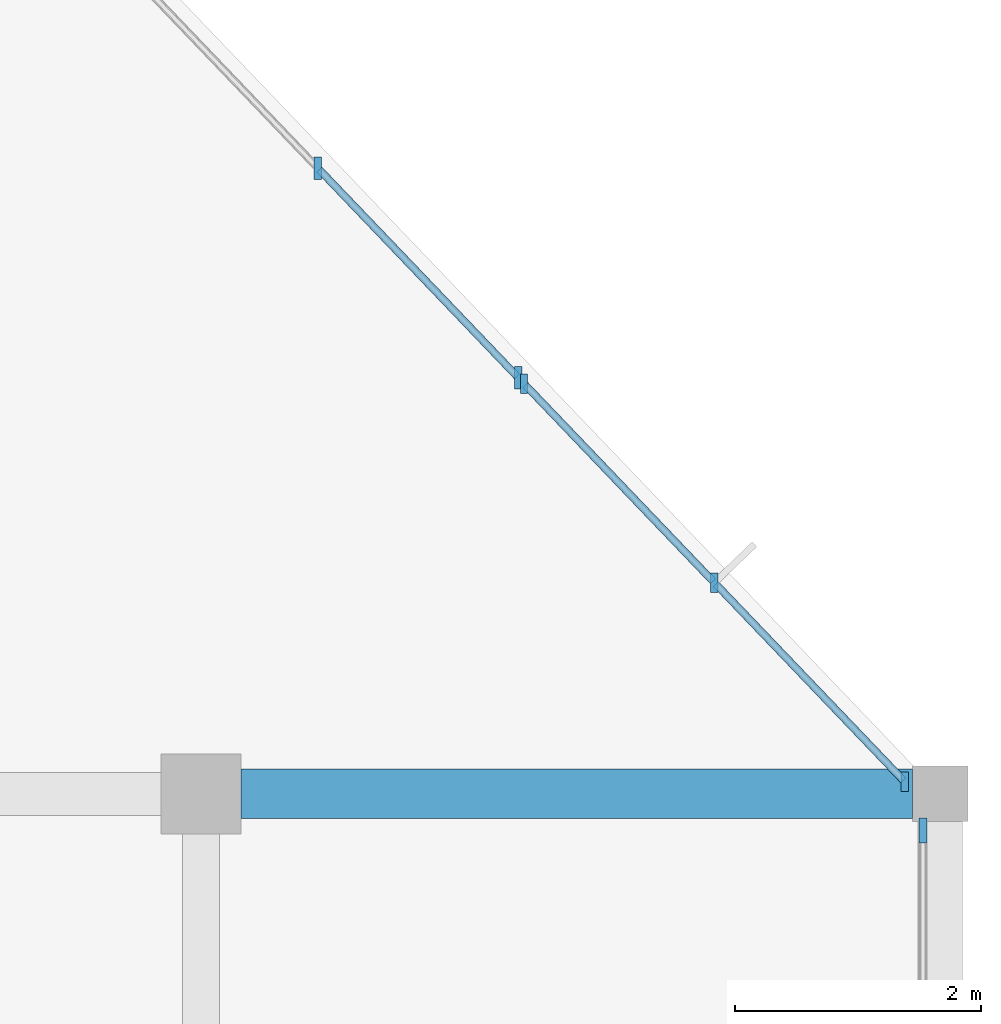
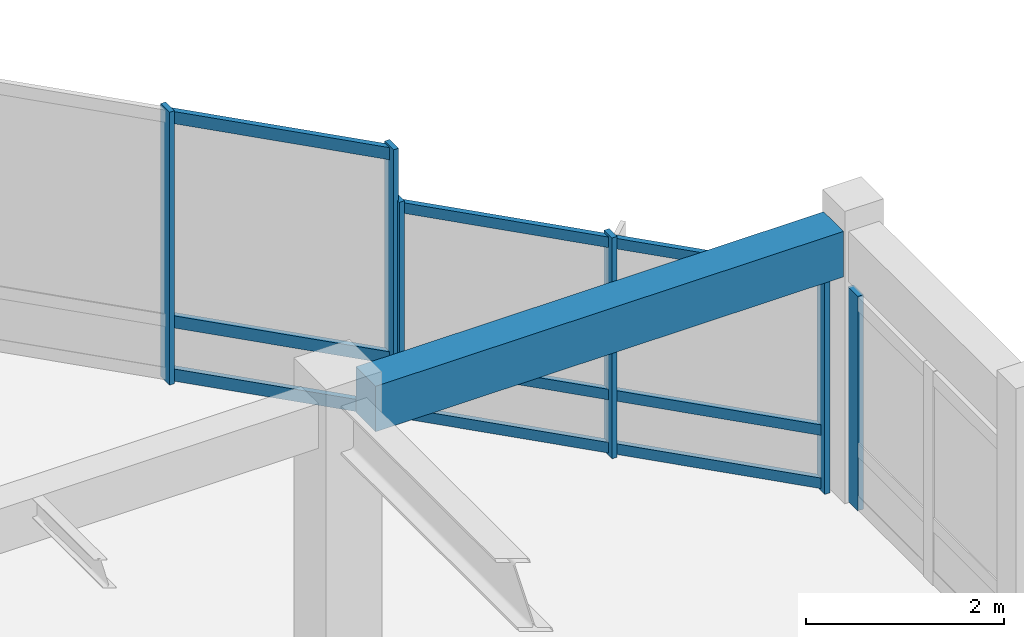
# One storey, part 7 of 18: 15 members, 1 beam, 3 elements without a shape of their own.
"""IFC4 building model written with IfcOpenShell, lengths in metres."""

import ifcopenshell
import ifcopenshell.guid

model = None  # the IFC model being written
_history = None  # IfcOwnerHistory: only IFC2X3 demands one
_inside = {}  # id of a spatial element -> (the spatial element, [elements in it])
_under = {}  # id of a project, library or spatial element -> (it, [spatial elements below it])
_declared = {}  # id of a project -> (the project, [libraries it declares])
_typed = {}  # id of a type object -> (the type object, [elements of that type])
_made_of = {}  # id of a material, layer set ... -> (it, [elements and type objects made of it])


def new_model(schema):
    """Start an empty IFC model of exactly this schema.

    Asked for "IFC4X3", IfcOpenShell would pick the latest addendum, in which some entities
    have other attributes; the version numbers below select the first issue.
    IFC2X3 requires an IfcOwnerHistory on every rooted entity: one is made here for all.
    """
    global model, _history
    if schema == "IFC4X3":
        model = ifcopenshell.file(schema_version=(4, 3, 0, 0))
    else:
        model = ifcopenshell.file(schema=schema)
    _inside.clear()
    _under.clear()
    _declared.clear()
    _typed.clear()
    _made_of.clear()
    _history = None
    if model.schema == "IFC2X3":
        org = make("IfcOrganization", Name="unknown")
        user = make(
            "IfcPersonAndOrganization",
            ThePerson=make("IfcPerson", FamilyName="unknown"),
            TheOrganization=org,
        )
        app = make(
            "IfcApplication",
            ApplicationDeveloper=org,
            Version="unknown",
            ApplicationFullName="unknown",
            ApplicationIdentifier="unknown",
        )
        _history = make(
            "IfcOwnerHistory",
            OwningUser=user,
            OwningApplication=app,
            ChangeAction="ADDED",
            CreationDate=0,
        )
    return model


def make(cls, **values):
    """One entity of the class cls with the attributes given. An attribute that is None is left unset."""
    return model.create_entity(
        cls, **{name: value for name, value in values.items() if value is not None}
    )


def rooted(cls, **values):
    """An entity with a GlobalId (a new one), such as an element, a storey or a relation."""
    return make(cls, GlobalId=ifcopenshell.guid.new(), OwnerHistory=_history, **values)


def si_unit(unit_type, name, prefix=None):
    """IfcSIUnit, for example si_unit("LENGTHUNIT", "METRE", prefix="MILLI")."""
    return make("IfcSIUnit", UnitType=unit_type, Prefix=prefix, Name=name)


def assignment(units):
    """IfcUnitAssignment: the units of a project."""
    return None if units is None else make("IfcUnitAssignment", Units=units)


def point(xyz):
    """IfcCartesianPoint."""
    return None if xyz is None else make("IfcCartesianPoint", Coordinates=xyz)


def direction(xyz):
    """IfcDirection."""
    return None if xyz is None else make("IfcDirection", DirectionRatios=xyz)


def frame(location, z_axis=None, x_axis=None):
    """IfcAxis2Placement3D, a coordinate frame: its origin and axes. An axis left out is left unset."""
    return make(
        "IfcAxis2Placement3D",
        Location=point(location),
        Axis=direction(z_axis),
        RefDirection=direction(x_axis),
    )


def frame_2d(location, x_axis=None):
    """IfcAxis2Placement2D, a coordinate frame in the plane: its origin and x axis."""
    return make(
        "IfcAxis2Placement2D", Location=point(location), RefDirection=direction(x_axis)
    )


def origin():
    """The frame at (0, 0, 0) with its axes left unset."""
    return frame((0.0, 0.0, 0.0))


def origin_2d():
    """The frame at (0, 0) in the plane with its x axis left unset."""
    return frame_2d((0.0, 0.0))


def place(relative_to, where):
    """IfcLocalPlacement: puts the frame where relative to a parent placement (None: the world)."""
    return make(
        "IfcLocalPlacement", PlacementRelTo=relative_to, RelativePlacement=where
    )


def context(
    kind, dimensions, precision=None, world=None, true_north=None, identifier=None
):
    """IfcGeometricRepresentationContext, for example the 3D "Model" context."""
    return make(
        "IfcGeometricRepresentationContext",
        ContextIdentifier=identifier,
        ContextType=kind,
        CoordinateSpaceDimension=dimensions,
        Precision=precision,
        WorldCoordinateSystem=world,
        TrueNorth=true_north,
    )


def subcontext(parent, identifier, kind, view, scale=None):
    """IfcGeometricRepresentationSubContext, for example "Body" below "Model"."""
    return make(
        "IfcGeometricRepresentationSubContext",
        ContextIdentifier=identifier,
        ContextType=kind,
        ParentContext=parent,
        TargetScale=scale,
        TargetView=view,
    )


def project(units=None, contexts=None):
    """IfcProject with its units and contexts."""
    return rooted(
        "IfcProject",
        Name="project",
        RepresentationContexts=contexts,
        UnitsInContext=assignment(units),
    )


def spatial(cls, under=None, at=None, **own):
    """A site, building, storey or space (cls), placed at a placement, below another one or the project."""
    s = rooted(cls, ObjectPlacement=at, **own)
    if under is not None:
        _under.setdefault(under.id(), (under, []))[1].append(s)
    return s


def profile(cls, at=None, kind="AREA", **sizes):
    """A parametric profile (cls). Its sizes go by their IFC names, for example OverallWidth=200.0."""
    return make(cls, ProfileType=kind, Position=at, **sizes)


def rectangle(**sizes):
    """IfcRectangleProfileDef."""
    return profile("IfcRectangleProfileDef", **sizes)


def extrude(swept, where, along, depth):
    """IfcExtrudedAreaSolid: the profile swept, set in the frame where, extruded along a direction by depth."""
    return make(
        "IfcExtrudedAreaSolid",
        SweptArea=swept,
        Position=where,
        ExtrudedDirection=direction(along),
        Depth=depth,
    )


def shape(context_of_items, identifier, shape_type, items):
    """IfcShapeRepresentation: the items that make up one representation, for example the "Body"."""
    return make(
        "IfcShapeRepresentation",
        ContextOfItems=context_of_items,
        RepresentationIdentifier=identifier,
        RepresentationType=shape_type,
        Items=items,
    )


def material(Name=None, Category=None):
    """IfcMaterial."""
    return make("IfcMaterial", Name=Name, Category=Category)


def material_profile(
    of_material, cross_section, Name=None, Category=None, Priority=None
):
    """IfcMaterialProfile: a cross section and its material."""
    return make(
        "IfcMaterialProfile",
        Name=Name,
        Material=of_material,
        Profile=cross_section,
        Priority=Priority,
        Category=Category,
    )


def profile_set(profiles, Name=None, composite=None):
    """IfcMaterialProfileSet."""
    return make(
        "IfcMaterialProfileSet",
        Name=Name,
        MaterialProfiles=profiles,
        CompositeProfile=composite,
    )


def made_of(thing, what):
    """Note that an element or type object is made of a material, layer set ...; save() writes the relation."""
    if what is not None:
        _made_of.setdefault(what.id(), (what, []))[1].append(thing)
    return thing


def type_object(cls, material=None, **own):
    """A type object (cls), such as IfcWallType, which elements share."""
    return made_of(rooted(cls, **own), material)


def element(
    cls,
    number,
    at=None,
    inside=None,
    cuts=None,
    type_object=None,
    material=None,
    context=None,
    identifier="Body",
    shape_type=None,
    held_by="IfcProductDefinitionShape",
    body=None,
    shapes=None,
    **own,
):
    """One element of the class cls, such as IfcWall. Its Tag is "e" and its number.

    at: its placement. inside: the storey or other place that contains it. cuts: it is an
    opening in that element (IfcRelVoidsElement). A single representation is given by context,
    identifier, shape_type and body (its items); several are given by shapes. held_by: the class
    of the entity that holds the representations. save() writes the other relations.
    """
    e = rooted(cls, Tag="e%d" % number, ObjectPlacement=at, **own)
    if body is not None:
        shapes = [shape(context, identifier, shape_type, body)]
    if shapes is not None:
        e.Representation = make(held_by, Representations=shapes)
    if inside is not None:
        _inside.setdefault(inside.id(), (inside, []))[1].append(e)
    if cuts is not None:
        rooted(
            "IfcRelVoidsElement", RelatingBuildingElement=cuts, RelatedOpeningElement=e
        )
    if type_object is not None:
        _typed.setdefault(type_object.id(), (type_object, []))[1].append(e)
    return made_of(e, material)


def aggregate(whole, parts):
    """IfcRelAggregates: a whole, such as a stair, and the parts it consists of."""
    return rooted("IfcRelAggregates", RelatingObject=whole, RelatedObjects=parts)


def save(model, path):
    """Write the relations noted so far, then the file.

    IfcRelAggregates (storeys below a building ...), IfcRelContainedInSpatialStructure (elements
    in a storey), IfcRelDefinesByType, IfcRelAssociatesMaterial and IfcRelDeclares: one each for
    every whole, place, type object, material and project.
    """
    for whole, parts in _under.values():
        aggregate(whole, parts)
    for where, things in _inside.values():
        rooted(
            "IfcRelContainedInSpatialStructure",
            RelatedElements=things,
            RelatingStructure=where,
        )
    for kind, things in _typed.values():
        rooted("IfcRelDefinesByType", RelatedObjects=things, RelatingType=kind)
    for what, things in _made_of.values():
        rooted("IfcRelAssociatesMaterial", RelatedObjects=things, RelatingMaterial=what)
    for by, libraries in _declared.values():
        rooted("IfcRelDeclares", RelatingContext=by, RelatedDefinitions=libraries)
    model.write(path)


model = new_model("IFC4")

# Units and contexts
model_context = context("Model", 3, precision=1e-05, world=origin(), true_north=direction((0.0, 1.0)))
body_context = subcontext(model_context, "Body", "Model", "MODEL_VIEW")
ifc_project = project(units=[si_unit("LENGTHUNIT", "METRE"), si_unit("AREAUNIT", "SQUARE_METRE"), si_unit("VOLUMEUNIT", "CUBIC_METRE"), si_unit("PLANEANGLEUNIT", "RADIAN"), si_unit("MASSUNIT", "GRAM", prefix="KILO")], contexts=[model_context])

# Site, building, storey
site_placement = place(None, origin())
site = spatial("IfcSite", under=ifc_project, at=site_placement, CompositionType="ELEMENT")
building_placement = place(site_placement, origin())
building = spatial("IfcBuilding", under=site, at=building_placement, Name="Clarverna Civic Hall", CompositionType="ELEMENT")
storey_placement = place(building_placement, frame((0.0, 0.0, 20.39990234375)))
storey = spatial("IfcBuildingStorey", under=building, at=storey_placement, Name="L05", CompositionType="ELEMENT", Elevation=20.39990234375)

# Beam
ifc_material_1 = material(Name="Concrete C35/45", Category="concrete")
ifc_material_profile_1 = material_profile(ifc_material_1, rectangle(XDim=0.39990234375, YDim=0.56005859375, at=origin_2d()), Name="RC 400x560")
ifc_profile_set_1 = profile_set([ifc_material_profile_1], Name="Concrete C35/45")
beam_type = type_object("IfcBeamType", Name="B-SP4", PredefinedType="SPANDREL", material=ifc_profile_set_1)
beam_placement = place(storey_placement, frame((162.324951171875, 102.199951171875, 3.06005859375), z_axis=(1.0, 0.0, 0.0), x_axis=(0.0, 1.0, 0.0)))
element("IfcBeam", 1, at=beam_placement, inside=storey, type_object=beam_type, Name="B-SP4-150", PredefinedType="SPANDREL", context=body_context, shape_type="SweptSolid", body=[
    extrude(rectangle(XDim=0.39990234375, YDim=0.56005859375, at=origin_2d()), origin(), (0.0, 0.0, 1.0), 5.449951171875),
])

# Curtain wall, members
ifc_material_2 = material(Name="Anodised Bronze Architectural Aluminium", Category="aluminium")
curtain_wall_type = type_object("IfcCurtainWallType", Name="CW-01", PredefinedType="USERDEFINED", material=ifc_material_2)
curtain_wall_1_placement = place(storey_placement, origin())
curtain_wall_1 = element("IfcCurtainWall", 2, at=curtain_wall_1_placement, inside=storey, type_object=curtain_wall_type, Name="CW-01-103", ObjectType="UNITISED CURTAIN WALL", PredefinedType="USERDEFINED")
ifc_material_profile_2 = material_profile(ifc_material_2, rectangle(XDim=0.06005859375, YDim=0.179931640625, at=origin_2d()), Name="BRONZE 60x180")
ifc_profile_set_2 = profile_set([ifc_material_profile_2], Name="Anodised Bronze Architectural Aluminium")
member_type_1 = type_object("IfcMemberType", Name="CWM-01", PredefinedType="MULLION", material=ifc_profile_set_2)
member_1_placement = place(storey_placement, frame((162.94873046875, 107.2783203125, 0.0), z_axis=(0.0, 0.0, 1.0), x_axis=(1.0, 0.0, 0.0)))
member_1 = element("IfcMember", 3, at=member_1_placement, type_object=member_type_1, Name="CWM-01-199", PredefinedType="MULLION", context=body_context, shape_type="SweptSolid", body=[
    extrude(rectangle(XDim=0.06005859375, YDim=0.179931640625, at=origin_2d()), origin(), (0.0, 0.0, 1.0), 3.360107421875),
])
member_2_placement = place(storey_placement, frame((164.575927734375, 105.576904296875, 0.0), z_axis=(0.0, 0.0, 1.0), x_axis=(1.0, 0.0, 0.0)))
member_2 = element("IfcMember", 4, at=member_2_placement, type_object=member_type_1, Name="CWM-01-200", PredefinedType="MULLION", context=body_context, shape_type="SweptSolid", body=[
    extrude(rectangle(XDim=0.06005859375, YDim=0.179931640625, at=origin_2d()), origin(), (0.0, 0.0, 1.0), 3.360107421875),
])

curtain_wall_2_placement = place(storey_placement, origin())
curtain_wall_2 = element("IfcCurtainWall", 5, at=curtain_wall_2_placement, inside=storey, type_object=curtain_wall_type, Name="CW-01-104", ObjectType="UNITISED CURTAIN WALL", PredefinedType="USERDEFINED")
ifc_material_profile_3 = material_profile(ifc_material_2, rectangle(XDim=0.06005859375, YDim=0.159912109375, at=origin_2d()), Name="BRONZE 60x160")
ifc_profile_set_3 = profile_set([ifc_material_profile_3], Name="Anodised Bronze Architectural Aluminium")
member_type_2 = type_object("IfcMemberType", Name="CWM-02", PredefinedType="MULLION", material=ifc_profile_set_3)
member_3_placement = place(storey_placement, frame((164.62158203125, 105.529296875, 0.0), z_axis=(0.0, 0.0, 1.0), x_axis=(1.0, 0.0, 0.0)))
member_3 = element("IfcMember", 6, at=member_3_placement, type_object=member_type_2, Name="CWM-02-227", PredefinedType="MULLION", context=body_context, shape_type="SweptSolid", body=[
    extrude(rectangle(XDim=0.06005859375, YDim=0.159912109375, at=origin_2d()), origin(), (0.0, 0.0, 1.0), 2.72021484375),
])
member_4_placement = place(storey_placement, frame((166.1669921875, 103.913818359375, 0.0), z_axis=(0.0, 0.0, 1.0), x_axis=(1.0, 0.0, 0.0)))
member_4 = element("IfcMember", 7, at=member_4_placement, type_object=member_type_2, Name="CWM-02-228", PredefinedType="MULLION", context=body_context, shape_type="SweptSolid", body=[
    extrude(rectangle(XDim=0.06005859375, YDim=0.159912109375, at=origin_2d()), origin(), (0.0, 0.0, 1.0), 2.72021484375),
])
member_5_placement = place(storey_placement, frame((167.712158203125, 102.298095703125, 0.0), z_axis=(0.0, 0.0, 1.0), x_axis=(1.0, 0.0, 0.0)))
member_5 = element("IfcMember", 8, at=member_5_placement, type_object=member_type_2, Name="CWM-02-229", PredefinedType="MULLION", context=body_context, shape_type="SweptSolid", body=[
    extrude(rectangle(XDim=0.06005859375, YDim=0.159912109375, at=origin_2d()), origin(), (0.0, 0.0, 1.0), 2.72021484375),
])

# Curtain wall, member
curtain_wall_3_placement = place(storey_placement, origin())
curtain_wall_3 = element("IfcCurtainWall", 9, at=curtain_wall_3_placement, inside=storey, type_object=curtain_wall_type, Name="CW-01-105", ObjectType="UNITISED CURTAIN WALL", PredefinedType="USERDEFINED")
ifc_material_profile_4 = material_profile(ifc_material_2, rectangle(XDim=0.06494140625, YDim=0.199951171875, at=origin_2d()), Name="BRONZE 65x200")
ifc_profile_set_4 = profile_set([ifc_material_profile_4], Name="Anodised Bronze Architectural Aluminium")
member_type_3 = type_object("IfcMemberType", Name="CWM-03", PredefinedType="MULLION", material=ifc_profile_set_4)
member_6_placement = place(storey_placement, frame((167.860107421875, 101.902099609375, 0.0), z_axis=(0.0, 0.0, 1.0), x_axis=(1.0, 0.0, 0.0)))
member_6 = element("IfcMember", 10, at=member_6_placement, type_object=member_type_3, Name="CWM-03-202", PredefinedType="MULLION", context=body_context, shape_type="SweptSolid", body=[
    extrude(rectangle(XDim=0.06494140625, YDim=0.199951171875, at=origin_2d()), origin(), (0.0, 0.0, 1.0), 2.64013671875),
])
aggregate(curtain_wall_3, [member_6])

# Member
ifc_material_profile_5 = material_profile(ifc_material_2, rectangle(XDim=0.06005859375, YDim=0.14990234375, at=origin_2d()), Name="BRONZE 60x150")
ifc_profile_set_5 = profile_set([ifc_material_profile_5], Name="Anodised Bronze Architectural Aluminium")
member_type_4 = type_object("IfcMemberType", Name="CWT-01", PredefinedType="USERDEFINED", material=ifc_profile_set_5)
member_7_placement = place(storey_placement, frame((162.959228515625, 107.267333984375, 0.09521484375), z_axis=(0.691227416228, -0.72263729426, 0.0), x_axis=(0.72263729426, 0.691227416228, 0.0)))
member_7 = element("IfcMember", 11, at=member_7_placement, type_object=member_type_4, Name="CWT-01-427", ObjectType="TRANSOM", PredefinedType="USERDEFINED", context=body_context, shape_type="SweptSolid", body=[
    extrude(rectangle(XDim=0.06005859375, YDim=0.14990234375, at=origin_2d()), origin(), (0.0, 0.0, 1.0), 2.323974609375),
])

member_8_placement = place(storey_placement, frame((162.959228515625, 107.267333984375, 0.75), z_axis=(0.691227416228, -0.72263729426, 0.0), x_axis=(0.72263729426, 0.691227416228, 0.0)))
member_8 = element("IfcMember", 12, at=member_8_placement, type_object=member_type_4, Name="CWT-01-428", ObjectType="TRANSOM", PredefinedType="USERDEFINED", context=body_context, shape_type="SweptSolid", body=[
    extrude(rectangle(XDim=0.06005859375, YDim=0.14990234375, at=origin_2d()), origin(), (0.0, 0.0, 1.0), 2.323974609375),
])

member_9_placement = place(storey_placement, frame((162.959228515625, 107.267333984375, 3.26513671875), z_axis=(0.691227416228, -0.72263729426, 0.0), x_axis=(0.72263729426, 0.691227416228, 0.0)))
member_9 = element("IfcMember", 13, at=member_9_placement, type_object=member_type_4, Name="CWT-01-429", ObjectType="TRANSOM", PredefinedType="USERDEFINED", context=body_context, shape_type="SweptSolid", body=[
    extrude(rectangle(XDim=0.06005859375, YDim=0.14990234375, at=origin_2d()), origin(), (0.0, 0.0, 1.0), 2.323974609375),
])

aggregate(curtain_wall_1, [member_1, member_2, member_7, member_8, member_9])

ifc_material_profile_6 = material_profile(ifc_material_2, rectangle(XDim=0.06005859375, YDim=0.1298828125, at=origin_2d()), Name="BRONZE 60x130")
ifc_profile_set_6 = profile_set([ifc_material_profile_6], Name="Anodised Bronze Architectural Aluminium")
member_type_5 = type_object("IfcMemberType", Name="CWT-02", PredefinedType="USERDEFINED", material=ifc_profile_set_6)
member_10_placement = place(storey_placement, frame((164.632080078125, 105.5185546875, 0.09521484375), z_axis=(0.691157299137, -0.722704357154, 0.0), x_axis=(0.722704357154, 0.691157299137, 0.0)))
member_10 = element("IfcMember", 14, at=member_10_placement, type_object=member_type_5, Name="CWT-02-484", ObjectType="TRANSOM", PredefinedType="USERDEFINED", context=body_context, shape_type="SweptSolid", body=[
    extrude(rectangle(XDim=0.06005859375, YDim=0.1298828125, at=origin_2d()), origin(), (0.0, 0.0, 1.0), 2.20556640625),
])

member_11_placement = place(storey_placement, frame((164.632080078125, 105.5185546875, 0.75), z_axis=(0.691157299137, -0.722704357154, 0.0), x_axis=(0.722704357154, 0.691157299137, 0.0)))
member_11 = element("IfcMember", 15, at=member_11_placement, type_object=member_type_5, Name="CWT-02-485", ObjectType="TRANSOM", PredefinedType="USERDEFINED", context=body_context, shape_type="SweptSolid", body=[
    extrude(rectangle(XDim=0.06005859375, YDim=0.1298828125, at=origin_2d()), origin(), (0.0, 0.0, 1.0), 2.20556640625),
])

member_12_placement = place(storey_placement, frame((164.632080078125, 105.5185546875, 2.625), z_axis=(0.691157299137, -0.722704357154, 0.0), x_axis=(0.722704357154, 0.691157299137, 0.0)))
member_12 = element("IfcMember", 16, at=member_12_placement, type_object=member_type_5, Name="CWT-02-486", ObjectType="TRANSOM", PredefinedType="USERDEFINED", context=body_context, shape_type="SweptSolid", body=[
    extrude(rectangle(XDim=0.06005859375, YDim=0.1298828125, at=origin_2d()), origin(), (0.0, 0.0, 1.0), 2.20556640625),
])

member_13_placement = place(storey_placement, frame((166.17724609375, 103.903076171875, 0.09521484375), z_axis=(0.691215106814, -0.722649068437, 0.0), x_axis=(0.722649068437, 0.691215106814, 0.0)))
member_13 = element("IfcMember", 17, at=member_13_placement, type_object=member_type_5, Name="CWT-02-487", ObjectType="TRANSOM", PredefinedType="USERDEFINED", context=body_context, shape_type="SweptSolid", body=[
    extrude(rectangle(XDim=0.06005859375, YDim=0.1298828125, at=origin_2d()), origin(), (0.0, 0.0, 1.0), 2.205810546875),
])

member_14_placement = place(storey_placement, frame((166.17724609375, 103.903076171875, 0.75), z_axis=(0.691215106814, -0.722649068437, 0.0), x_axis=(0.722649068437, 0.691215106814, 0.0)))
member_14 = element("IfcMember", 18, at=member_14_placement, type_object=member_type_5, Name="CWT-02-488", ObjectType="TRANSOM", PredefinedType="USERDEFINED", context=body_context, shape_type="SweptSolid", body=[
    extrude(rectangle(XDim=0.06005859375, YDim=0.1298828125, at=origin_2d()), origin(), (0.0, 0.0, 1.0), 2.205810546875),
])

member_15_placement = place(storey_placement, frame((166.17724609375, 103.903076171875, 2.625), z_axis=(0.691215106814, -0.722649068437, 0.0), x_axis=(0.722649068437, 0.691215106814, 0.0)))
member_15 = element("IfcMember", 19, at=member_15_placement, type_object=member_type_5, Name="CWT-02-489", ObjectType="TRANSOM", PredefinedType="USERDEFINED", context=body_context, shape_type="SweptSolid", body=[
    extrude(rectangle(XDim=0.06005859375, YDim=0.1298828125, at=origin_2d()), origin(), (0.0, 0.0, 1.0), 2.205810546875),
])

aggregate(curtain_wall_2, [member_3, member_4, member_5, member_10, member_11, member_12, member_13, member_14, member_15])

save(model, "model.ifc")
